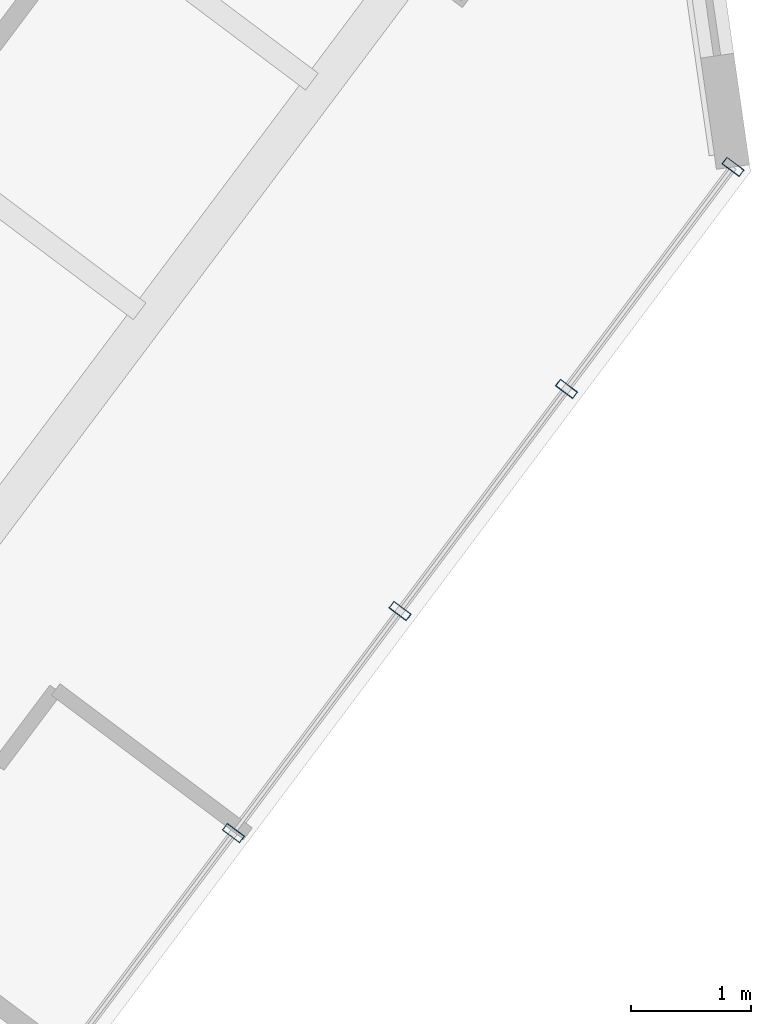
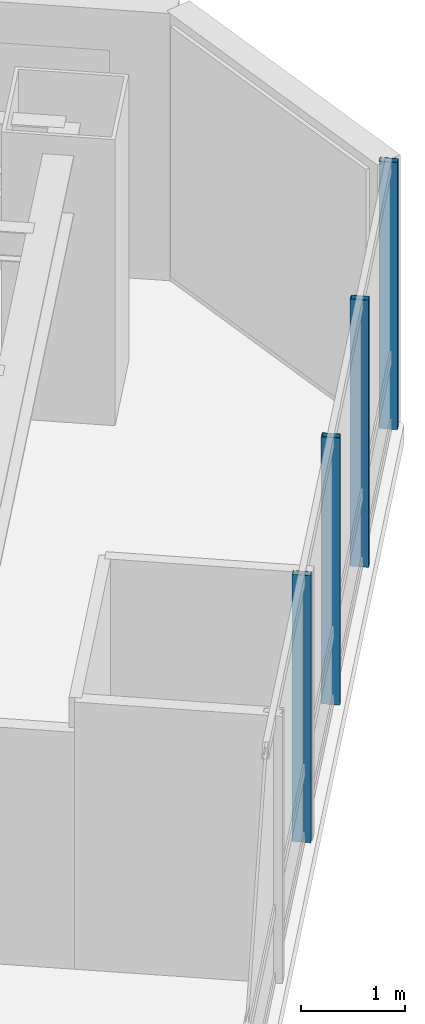
# One storey, part 19 of 32: 4 members, 1 element without a shape of its own.
"""IFC4 building model written with IfcOpenShell, lengths in metres."""

from ifc_helpers import new_model, si_unit, direction, frame, origin, origin_2d, place, context, subcontext, project, spatial, hollow_rectangle, extrude, material, layer, layer_set, material_profile, profile_set, type_object, element, aggregate, save


model = new_model("IFC4")

# Units and contexts
model_context = context("Model", 3, precision=1e-05, world=origin(), true_north=direction((0.0, 1.0)))
body_context = subcontext(model_context, "Body", "Model", "MODEL_VIEW")
ifc_project = project(units=[si_unit("LENGTHUNIT", "METRE"), si_unit("AREAUNIT", "SQUARE_METRE"), si_unit("VOLUMEUNIT", "CUBIC_METRE"), si_unit("PLANEANGLEUNIT", "RADIAN"), si_unit("MASSUNIT", "GRAM", prefix="KILO")], contexts=[model_context])

# Site, building, storey
site_placement = place(None, origin())
site = spatial("IfcSite", under=ifc_project, at=site_placement, CompositionType="ELEMENT")
building_placement = place(site_placement, origin())
building = spatial("IfcBuilding", under=site, at=building_placement, Name="Hatsunagi Terrace Concourse", CompositionType="ELEMENT")
storey_placement = place(building_placement, frame((0.0, 0.0, 46.64990234375)))
storey = spatial("IfcBuildingStorey", under=building, at=storey_placement, Name="L11", CompositionType="ELEMENT", Elevation=46.64990234375)

# Curtain wall, members
ifc_material_1 = material(Name="Anodised Aluminium Alloy 6063-T5", Category="aluminium")
ifc_layer = layer(ifc_material_1, 0.199951171875)
ifc_layer_set = layer_set([ifc_layer], Name="HotelFacade_CW02")
curtain_wall_type = type_object("IfcCurtainWallType", Name="HotelFacade_CW02", PredefinedType="NOTDEFINED", material=ifc_layer_set)
curtain_wall_placement = place(storey_placement, origin())
curtain_wall = element("IfcCurtainWall", 1, at=curtain_wall_placement, inside=storey, type_object=curtain_wall_type, Name="Unitised Curtain Wall CW-02 CW-L11-03", PredefinedType="NOTDEFINED")
ifc_material_2 = material(Name="Anodised Aluminium Alloy 6063-T5", Category="aluminium")
ifc_material_profile = material_profile(ifc_material_2, hollow_rectangle(XDim=0.070068359375, YDim=0.179931640625, WallThickness=0.00390625, at=origin_2d()), Name="ALU-MUL-180x70x4")
ifc_profile_set = profile_set([ifc_material_profile], Name="Anodised Aluminium Alloy 6063-T5")
member_type = type_object("IfcMemberType", Name="CurtainWallMullion_180x70", PredefinedType="MULLION", material=ifc_profile_set)
member_1_placement = place(storey_placement, frame((69.093017578125, 19.657958984375, 0.0), z_axis=(0.0, 0.0, 1.0), x_axis=(-0.599969314634, -0.800023013105, 0.0)))
member_1 = element("IfcMember", 2, at=member_1_placement, type_object=member_type, Name="Curtain Wall Mullion MUL-02", PredefinedType="MULLION", context=body_context, shape_type="SweptSolid", body=[
    extrude(hollow_rectangle(XDim=0.070068359375, YDim=0.179931640625, WallThickness=0.00390625, at=origin_2d()), origin(), (0.0, 0.0, 1.0), 3.130126953125),
])
member_2_placement = place(storey_placement, frame((67.700927734375, 17.802001953125, 0.0), z_axis=(0.0, 0.0, 1.0), x_axis=(-0.599969314634, -0.800023013105, 0.0)))
member_2 = element("IfcMember", 3, at=member_2_placement, type_object=member_type, Name="Curtain Wall Mullion MUL-02", PredefinedType="MULLION", context=body_context, shape_type="SweptSolid", body=[
    extrude(hollow_rectangle(XDim=0.070068359375, YDim=0.179931640625, WallThickness=0.00390625, at=origin_2d()), origin(), (0.0, 0.0, 1.0), 3.130126953125),
])
member_3_placement = place(storey_placement, frame((66.30908203125, 15.945068359375, 0.0), z_axis=(0.0, 0.0, 1.0), x_axis=(-0.599969314634, -0.800023013105, 0.0)))
member_3 = element("IfcMember", 4, at=member_3_placement, type_object=member_type, Name="Curtain Wall Mullion MUL-02", PredefinedType="MULLION", context=body_context, shape_type="SweptSolid", body=[
    extrude(hollow_rectangle(XDim=0.070068359375, YDim=0.179931640625, WallThickness=0.00390625, at=origin_2d()), origin(), (0.0, 0.0, 1.0), 3.130126953125),
])
member_4_placement = place(storey_placement, frame((64.916015625, 14.089111328125, 0.0), z_axis=(0.0, 0.0, 1.0), x_axis=(-0.599969314634, -0.800023013105, 0.0)))
member_4 = element("IfcMember", 5, at=member_4_placement, type_object=member_type, Name="Curtain Wall Mullion MUL-02", PredefinedType="MULLION", context=body_context, shape_type="SweptSolid", body=[
    extrude(hollow_rectangle(XDim=0.070068359375, YDim=0.179931640625, WallThickness=0.00390625, at=origin_2d()), origin(), (0.0, 0.0, 1.0), 3.130126953125),
])
aggregate(curtain_wall, [member_1, member_2, member_3, member_4])

save(model, "model.ifc")
